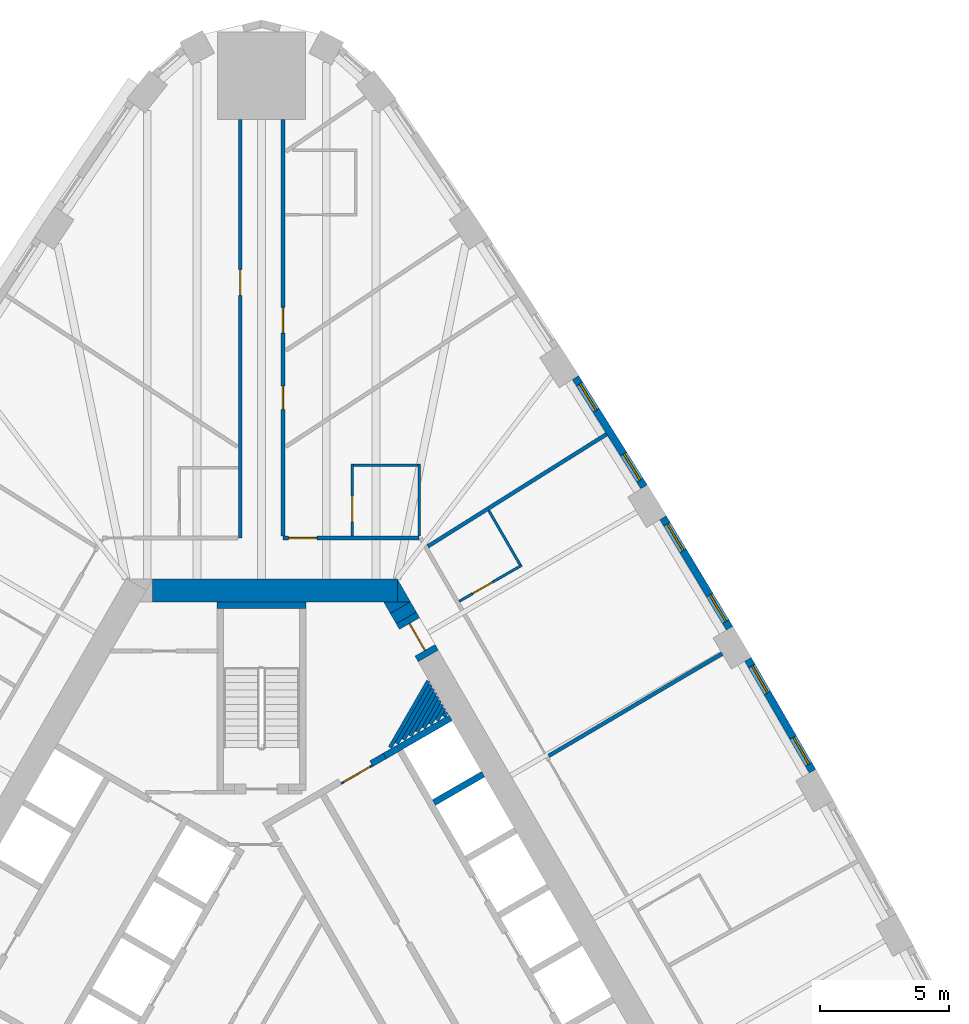
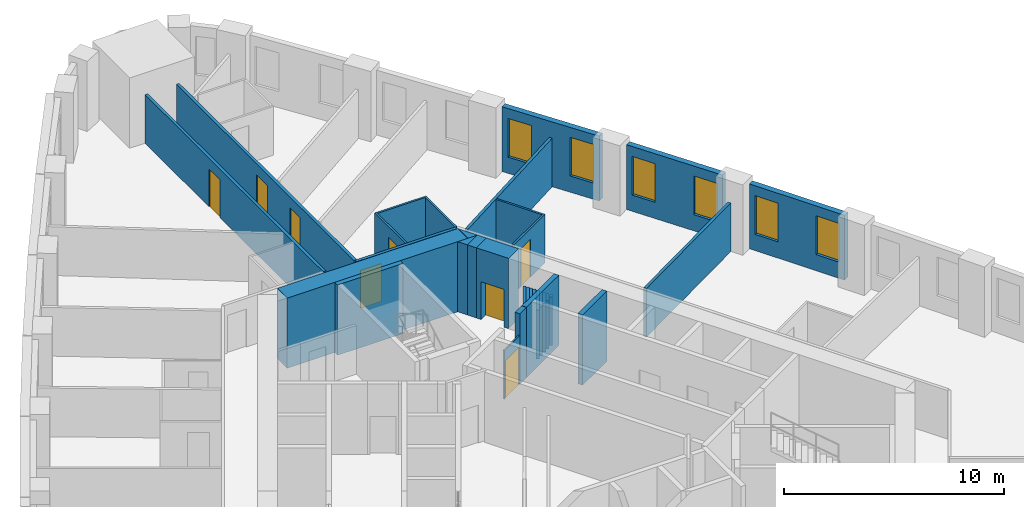
# One storey, part 10 of 12: 32 walls, 8 doors, 6 windows, 14 openings.
"""IFC4 building model written with IfcOpenShell, lengths in metres."""

from ifc_helpers import new_model, si_unit, direction, frame, frame_2d, origin, place, context, subcontext, project, spatial, polyline, rectangle, outline, extrude, material, layer, layer_set, type_object, element, fill, save


model = new_model("IFC4")

# Units and contexts
model_context = context("Model", 3, precision=1e-05, world=origin(), true_north=direction((0.0, 1.0)))
body_context = subcontext(model_context, "Body", "Model", "MODEL_VIEW")
ifc_project = project(units=[si_unit("LENGTHUNIT", "METRE"), si_unit("AREAUNIT", "SQUARE_METRE"), si_unit("VOLUMEUNIT", "CUBIC_METRE"), si_unit("PLANEANGLEUNIT", "RADIAN"), si_unit("MASSUNIT", "GRAM", prefix="KILO")], contexts=[model_context])

# Site, building, storey
site_placement = place(None, origin())
site = spatial("IfcSite", under=ifc_project, at=site_placement, CompositionType="ELEMENT")
building_placement = place(site_placement, origin())
building = spatial("IfcBuilding", under=site, at=building_placement, Name="Mestral Congress Tower", CompositionType="ELEMENT")
storey_placement = place(building_placement, frame((0.0, 0.0, 74.39990234375)))
storey = spatial("IfcBuildingStorey", under=building, at=storey_placement, Name="L17", CompositionType="ELEMENT", Elevation=74.39990234375)

# Walls
ifc_material_1 = material(Name="Fire-rated board partition")
ifc_layer_1 = layer(ifc_material_1, 0.14990234375)
ifc_layer_set_1 = layer_set([ifc_layer_1], Name="Fire-rated board partition")
wall_type_1 = type_object("IfcWallType", Name="Core partition 150", PredefinedType="PARTITIONING", material=ifc_layer_set_1)
wall_1_placement = place(storey_placement, frame((4.981689453125, 10.358642578125, 0.0), z_axis=(0.0, 0.0, 1.0), x_axis=(0.500051824031, 0.865995481099, 0.0)))
element("IfcWall", 1, at=wall_1_placement, inside=storey, type_object=wall_type_1, Name="L17 core wall", PredefinedType="PARTITIONING", context=body_context, shape_type="SweptSolid", body=[
    extrude(rectangle(XDim=2.972900390625, YDim=0.14990234375, at=frame_2d((1.486328125, 0.0))), origin(), (0.0, 0.0, 1.0), 2.7001953125),
])
wall_2_placement = place(storey_placement, frame((5.24169921875, 10.5087890625, 0.0), z_axis=(0.0, 0.0, 1.0), x_axis=(0.499958506883, 0.866049358521, 0.0)))
element("IfcWall", 2, at=wall_2_placement, inside=storey, type_object=wall_type_1, Name="L17 core wall", PredefinedType="PARTITIONING", context=body_context, shape_type="SweptSolid", body=[
    extrude(rectangle(XDim=2.626220703125, YDim=0.14990234375, at=frame_2d((1.31298828125, 0.0))), origin(), (0.0, 0.0, 1.0), 2.7001953125),
])
wall_3_placement = place(storey_placement, frame((5.50146484375, 10.65869140625, 0.0), z_axis=(0.0, 0.0, 1.0), x_axis=(0.499951092774, 0.866053638543, 0.0)))
element("IfcWall", 3, at=wall_3_placement, inside=storey, type_object=wall_type_1, Name="L17 core wall", PredefinedType="PARTITIONING", context=body_context, shape_type="SweptSolid", body=[
    extrude(rectangle(XDim=2.280029296875, YDim=0.14990234375, at=frame_2d((1.14013671875, 0.0))), origin(), (0.0, 0.0, 1.0), 2.7001953125),
])
wall_4_placement = place(storey_placement, frame((5.76123046875, 10.80859375, 0.0), z_axis=(0.0, 0.0, 1.0), x_axis=(0.499900985997, 0.866082561999, 0.0)))
element("IfcWall", 4, at=wall_4_placement, inside=storey, type_object=wall_type_1, Name="L17 core wall", PredefinedType="PARTITIONING", context=body_context, shape_type="SweptSolid", body=[
    extrude(rectangle(XDim=1.93359375, YDim=0.14990234375, at=frame_2d((0.966796875, 0.0))), origin(), (0.0, 0.0, 1.0), 2.7001953125),
])
wall_5_placement = place(storey_placement, frame((6.02099609375, 10.958740234375, 0.0), z_axis=(0.0, 0.0, 1.0), x_axis=(0.499944387978, 0.86605750902, 0.0)))
element("IfcWall", 5, at=wall_5_placement, inside=storey, type_object=wall_type_1, Name="L17 core wall", PredefinedType="PARTITIONING", context=body_context, shape_type="SweptSolid", body=[
    extrude(rectangle(XDim=1.587158203125, YDim=0.14990234375, at=frame_2d((0.79345703125, 0.0))), origin(), (0.0, 0.0, 1.0), 2.7001953125),
])
wall_6_placement = place(storey_placement, frame((6.28076171875, 11.108642578125, 0.0), z_axis=(0.0, 0.0, 1.0), x_axis=(0.500012022864, 0.866018462269, 0.0)))
element("IfcWall", 6, at=wall_6_placement, inside=storey, type_object=wall_type_1, Name="L17 core wall", PredefinedType="PARTITIONING", context=body_context, shape_type="SweptSolid", body=[
    extrude(rectangle(XDim=1.24072265625, YDim=0.14990234375, at=frame_2d((0.620361328125, 0.0))), origin(), (0.0, 0.0, 1.0), 2.7001953125),
])
wall_7_placement = place(storey_placement, frame((6.54052734375, 11.2587890625, 0.0), z_axis=(0.0, 0.0, 1.0), x_axis=(0.500132045864, 0.865949153646, 0.0)))
element("IfcWall", 7, at=wall_7_placement, inside=storey, type_object=wall_type_1, Name="L17 core wall", PredefinedType="PARTITIONING", context=body_context, shape_type="SweptSolid", body=[
    extrude(rectangle(XDim=0.894287109375, YDim=0.14990234375, at=frame_2d((0.447265625, 0.0))), origin(), (0.0, 0.0, 1.0), 2.7001953125),
])
wall_8_placement = place(storey_placement, frame((6.80029296875, 11.40869140625, 0.0), z_axis=(0.0, 0.0, 1.0), x_axis=(0.500210807569, 0.865903659763, 0.0)))
element("IfcWall", 8, at=wall_8_placement, inside=storey, type_object=wall_type_1, Name="L17 core wall", PredefinedType="PARTITIONING", context=body_context, shape_type="SweptSolid", body=[
    extrude(rectangle(XDim=0.548095703125, YDim=0.14990234375, at=frame_2d((0.27392578125, 0.0))), origin(), (0.0, 0.0, 1.0), 2.7001953125),
])
wall_9_placement = place(storey_placement, frame((7.060302734375, 11.55859375, 0.0), z_axis=(0.0, 0.0, 1.0), x_axis=(0.499267785915, 0.866447735266, 0.0)))
element("IfcWall", 9, at=wall_9_placement, inside=storey, type_object=wall_type_1, Name="L17 core wall", PredefinedType="PARTITIONING", context=body_context, shape_type="SweptSolid", body=[
    extrude(rectangle(XDim=0.201416015625, YDim=0.14990234375, at=frame_2d((0.1005859375, 0.0))), origin(), (0.0, 0.0, 1.0), 2.7001953125),
])

# Wall, opening, door
ifc_layer_2 = layer(ifc_material_1, 0.090087890625)
ifc_layer_set_2 = layer_set([ifc_layer_2], Name="Fire-rated board partition")
wall_type_2 = type_object("IfcWallType", Name="Core partition 150 door-wall 90", PredefinedType="PARTITIONING", material=ifc_layer_set_2)
wall_10_placement = place(storey_placement, frame((3.080810546875, 8.9609375, 0.0), z_axis=(0.0, 0.0, 1.0), x_axis=(0.866034573852, 0.49998411664, 0.0)))
wall_10 = element("IfcWall", 10, at=wall_10_placement, inside=storey, type_object=wall_type_2, Name="L17 door wall", PredefinedType="PARTITIONING", context=body_context, shape_type="SweptSolid", body=[
    extrude(rectangle(XDim=1.39990234375, YDim=0.090087890625, at=frame_2d((0.699951171875, 0.0))), origin(), (0.0, 0.0, 1.0), 2.7001953125),
])
opening_1_placement = place(wall_10_placement, frame((0.10009765625, 0.0, 0.0)))
opening_1 = element("IfcOpeningElement", 11, at=opening_1_placement, cuts=wall_10, Name="Opening LB1-WL2", PredefinedType="OPENING", context=body_context, shape_type="SweptSolid", body=[
    extrude(rectangle(XDim=1.199951171875, YDim=2.10009765625, at=frame_2d((0.60009765625, 1.050048828125))), frame((0.0, 0.054931640625, 0.0), z_axis=(0.0, -1.0, 0.0), x_axis=(1.0, 0.0, 0.0)), (0.0, 0.0, 1.0), 0.110107421875),
])
ifc_material_2 = material(Name="Fire-rated steel door set", Category="steel")
door_type_1 = type_object("IfcDoorType", Name="Core door LB 1200x2100", OperationType="SINGLE_SWING_LEFT", PredefinedType="DOOR", material=ifc_material_2)
door_1_placement = place(opening_1_placement, origin())
door_1 = element("IfcDoor", 12, at=door_1_placement, inside=storey, type_object=door_type_1, Name="Door LB1-WL2", OperationType="SINGLE_SWING_LEFT", OverallHeight=2.10009765625, OverallWidth=1.199951171875, PredefinedType="DOOR", context=body_context, shape_type="SweptSolid", body=[
    extrude(rectangle(XDim=1.199951171875, YDim=2.10009765625, at=frame_2d((0.60009765625, 1.050048828125))), frame((0.0, 0.02490234375, 0.0), z_axis=(0.0, -1.0, 0.0), x_axis=(1.0, 0.0, 0.0)), (0.0, 0.0, 1.0), 0.050048828125),
])
fill(opening_1, door_1)

# Walls
ifc_material_3 = material(Name="Concrete C60/75", Category="concrete")
ifc_layer_3 = layer(ifc_material_3, 0.89990234375)
ifc_layer_set_3 = layer_set([ifc_layer_3], Name="Concrete C60/75")
wall_type_3 = type_object("IfcWallType", Name="Core wall RC 900", PredefinedType="SOLIDWALL", material=ifc_layer_set_3)
wall_11_placement = place(storey_placement, frame((-4.224365234375, 16.449951171875, 0.0), z_axis=(0.0, 0.0, 1.0), x_axis=(1.0, 0.0, 0.0)))
element("IfcWall", 13, at=wall_11_placement, inside=storey, type_object=wall_type_3, Name="L17 core wall", PredefinedType="SOLIDWALL", context=body_context, shape_type="SweptSolid", body=[
    extrude(rectangle(XDim=9.48779296875, YDim=0.89990234375, at=frame_2d((4.743896484375, 0.0))), origin(), (0.0, 0.0, 1.0), 3.900146484375),
])
placement = place(storey_placement, origin())
element("IfcWall", 14, at=placement, inside=storey, type_object=wall_type_3, Name="L17 core wall", PredefinedType="SOLIDWALL", context=body_context, shape_type="SweptSolid", body=[
    extrude(outline(polyline([(5.265380859375, 16.0), (5.265380859375, 16.8798828125), (5.7734375, 16.0), (5.265380859375, 16.0)])), origin(), (0.0, 0.0, 1.0), 3.900146484375),
])
wall_13_placement = place(storey_placement, frame((5.61083984375, 15.381591796875, 0.0), z_axis=(0.0, 0.0, 1.0), x_axis=(-0.500102178127, 0.865966403178, 0.0)))
element("IfcWall", 15, at=wall_13_placement, inside=storey, type_object=wall_type_3, Name="L17 core wall", PredefinedType="SOLIDWALL", context=body_context, shape_type="SweptSolid", body=[
    extrude(rectangle(XDim=0.4638671875, YDim=0.89990234375, at=frame_2d((0.23193359375, 0.0))), origin(), (0.0, 0.0, 1.0), 3.900146484375),
])
element("IfcWall", 16, at=placement, inside=storey, type_object=wall_type_3, Name="L17 core wall", PredefinedType="SOLIDWALL", context=body_context, shape_type="SweptSolid", body=[
    extrude(outline(polyline([(4.734375, 16.0), (5.75048828125, 16.0), (4.98828125, 15.56005859375), (4.734375, 16.0)])), origin(), (0.0, 0.0, 1.0), 3.900146484375),
])

# Wall, opening, door
wall_15_placement = place(storey_placement, frame((5.61083984375, 15.381591796875, 0.0), z_axis=(0.0, 0.0, 1.0), x_axis=(0.500062241894, -0.865989465428, 0.0)))
wall_15 = element("IfcWall", 17, at=wall_15_placement, inside=storey, type_object=wall_type_3, Name="L17 door wall", PredefinedType="SOLIDWALL", context=body_context, shape_type="SweptSolid", body=[
    extrude(rectangle(XDim=1.699951171875, YDim=0.89990234375, at=frame_2d((0.85009765625, 0.0))), origin(), (0.0, 0.0, 1.0), 3.900146484375),
])
opening_2_placement = place(wall_15_placement, frame((0.25, 0.0, 0.0)))
opening_2 = element("IfcOpeningElement", 18, at=opening_2_placement, cuts=wall_15, Name="Opening XD2", PredefinedType="OPENING", context=body_context, shape_type="SweptSolid", body=[
    extrude(rectangle(XDim=1.199951171875, YDim=2.10009765625, at=frame_2d((0.60009765625, 1.050048828125))), frame((0.0, 0.4599609375, 0.0), z_axis=(0.0, -1.0, 0.0), x_axis=(1.0, 0.0, 0.0)), (0.0, 0.0, 1.0), 0.919921875),
])
door_type_2 = type_object("IfcDoorType", Name="Core door XD 1200x2100", OperationType="SINGLE_SWING_LEFT", PredefinedType="DOOR", material=ifc_material_2)
door_2_placement = place(opening_2_placement, origin())
door_2 = element("IfcDoor", 19, at=door_2_placement, inside=storey, type_object=door_type_2, Name="Door XD2", OperationType="SINGLE_SWING_LEFT", OverallHeight=2.10009765625, OverallWidth=1.199951171875, PredefinedType="DOOR", context=body_context, shape_type="SweptSolid", body=[
    extrude(rectangle(XDim=1.199951171875, YDim=2.10009765625, at=frame_2d((0.60009765625, 1.050048828125))), frame((0.0, 0.02490234375, 0.0), z_axis=(0.0, -1.0, 0.0), x_axis=(1.0, 0.0, 0.0)), (0.0, 0.0, 1.0), 0.050048828125),
])
fill(opening_2, door_2)

# Wall, openings, windows
ifc_material_4 = material(Name="Precast concrete C40/50 with limestone facing", Category="masonry")
ifc_layer_4 = layer(ifc_material_4, 0.2900390625)
ifc_layer_set_4 = layer_set([ifc_layer_4], Name="Precast concrete C40/50 with limestone facing")
wall_type_4 = type_object("IfcWallType", Name="Facade stone wall 290", PredefinedType="SOLIDWALL", material=ifc_layer_set_4)
wall_16_placement = place(storey_placement, frame((21.357177734375, 9.44482421875, 0.0), z_axis=(0.0, 0.0, 1.0), x_axis=(-0.50002123722, 0.866013142123, 0.0)))
wall_16 = element("IfcWall", 20, at=wall_16_placement, inside=storey, type_object=wall_type_4, Name="Facade wall F1-04", PredefinedType="SOLIDWALL", context=body_context, shape_type="SweptSolid", body=[
    extrude(rectangle(XDim=4.998291015625, YDim=0.2900390625, at=frame_2d((2.4990234375, 0.0))), origin(), (0.0, 0.0, 1.0), 3.60009765625),
])
opening_3_placement = place(wall_16_placement, frame((0.297119140625, 0.0, 0.89990234375)))
opening_3 = element("IfcOpeningElement", 21, at=opening_3_placement, cuts=wall_16, Name="Opening W1", PredefinedType="OPENING", context=body_context, shape_type="SweptSolid", body=[
    extrude(rectangle(XDim=1.199951171875, YDim=2.14990234375, at=frame_2d((0.60009765625, 1.074951171875))), frame((0.0, 0.155029296875, 0.0), z_axis=(0.0, -1.0, 0.0), x_axis=(1.0, 0.0, 0.0)), (0.0, 0.0, 1.0), 0.31005859375),
])
opening_4_placement = place(wall_16_placement, frame((3.501220703125, 0.0, 0.89990234375)))
opening_4 = element("IfcOpeningElement", 22, at=opening_4_placement, cuts=wall_16, Name="Opening W1", PredefinedType="OPENING", context=body_context, shape_type="SweptSolid", body=[
    extrude(rectangle(XDim=1.199951171875, YDim=2.14990234375, at=frame_2d((0.60009765625, 1.074951171875))), frame((0.0, 0.155029296875, 0.0), z_axis=(0.0, -1.0, 0.0), x_axis=(1.0, 0.0, 0.0)), (0.0, 0.0, 1.0), 0.31005859375),
])
ifc_material_5 = material(Name="Clear low-emissivity double glazing", Category="glass")
window_type = type_object("IfcWindowType", Name="Facade punched window 1200 x 2150 sill 900", PartitioningType="DOUBLE_PANEL_VERTICAL", PredefinedType="WINDOW", material=ifc_material_5)
window_1_placement = place(opening_3_placement, origin())
window_1 = element("IfcWindow", 23, at=window_1_placement, inside=storey, type_object=window_type, Name="Window F1-04a", OverallHeight=2.14990234375, OverallWidth=1.199951171875, PartitioningType="DOUBLE_PANEL_VERTICAL", PredefinedType="WINDOW", context=body_context, shape_type="SweptSolid", body=[
    extrude(rectangle(XDim=1.199951171875, YDim=2.14990234375, at=frame_2d((0.60009765625, 1.074951171875))), frame((0.0, 0.01513671875, 0.0), z_axis=(0.0, -1.0, 0.0), x_axis=(1.0, 0.0, 0.0)), (0.0, 0.0, 1.0), 0.06005859375),
])
fill(opening_3, window_1)
window_2_placement = place(opening_4_placement, origin())
window_2 = element("IfcWindow", 24, at=window_2_placement, inside=storey, type_object=window_type, Name="Window F1-04b", OverallHeight=2.14990234375, OverallWidth=1.199951171875, PartitioningType="DOUBLE_PANEL_VERTICAL", PredefinedType="WINDOW", context=body_context, shape_type="SweptSolid", body=[
    extrude(rectangle(XDim=1.199951171875, YDim=2.14990234375, at=frame_2d((0.60009765625, 1.074951171875))), frame((0.0, 0.01513671875, 0.0), z_axis=(0.0, -1.0, 0.0), x_axis=(1.0, 0.0, 0.0)), (0.0, 0.0, 1.0), 0.06005859375),
])
fill(opening_4, window_2)

wall_17_placement = place(storey_placement, frame((18.143310546875, 14.985595703125, 0.0), z_axis=(0.0, 0.0, 1.0), x_axis=(-0.515938796285, 0.856625448191, 0.0)))
wall_17 = element("IfcWall", 25, at=wall_17_placement, inside=storey, type_object=wall_type_4, Name="Facade wall F1-05", PredefinedType="SOLIDWALL", context=body_context, shape_type="SweptSolid", body=[
    extrude(rectangle(XDim=4.998291015625, YDim=0.2900390625, at=frame_2d((2.4990234375, 0.0))), origin(), (0.0, 0.0, 1.0), 3.60009765625),
])
opening_5_placement = place(wall_17_placement, frame((0.297119140625, 0.0, 0.89990234375)))
opening_5 = element("IfcOpeningElement", 26, at=opening_5_placement, cuts=wall_17, Name="Opening W1", PredefinedType="OPENING", context=body_context, shape_type="SweptSolid", body=[
    extrude(rectangle(XDim=1.199951171875, YDim=2.14990234375, at=frame_2d((0.60009765625, 1.074951171875))), frame((0.0, 0.155029296875, 0.0), z_axis=(0.0, -1.0, 0.0), x_axis=(1.0, 0.0, 0.0)), (0.0, 0.0, 1.0), 0.31005859375),
])
opening_6_placement = place(wall_17_placement, frame((3.501220703125, 0.0, 0.89990234375)))
opening_6 = element("IfcOpeningElement", 27, at=opening_6_placement, cuts=wall_17, Name="Opening W1", PredefinedType="OPENING", context=body_context, shape_type="SweptSolid", body=[
    extrude(rectangle(XDim=1.199951171875, YDim=2.14990234375, at=frame_2d((0.60009765625, 1.074951171875))), frame((0.0, 0.155029296875, 0.0), z_axis=(0.0, -1.0, 0.0), x_axis=(1.0, 0.0, 0.0)), (0.0, 0.0, 1.0), 0.31005859375),
])
window_3_placement = place(opening_5_placement, origin())
window_3 = element("IfcWindow", 28, at=window_3_placement, inside=storey, type_object=window_type, Name="Window F1-05a", OverallHeight=2.14990234375, OverallWidth=1.199951171875, PartitioningType="DOUBLE_PANEL_VERTICAL", PredefinedType="WINDOW", context=body_context, shape_type="SweptSolid", body=[
    extrude(rectangle(XDim=1.199951171875, YDim=2.14990234375, at=frame_2d((0.60009765625, 1.074951171875))), frame((0.0, 0.01513671875, 0.0), z_axis=(0.0, -1.0, 0.0), x_axis=(1.0, 0.0, 0.0)), (0.0, 0.0, 1.0), 0.06005859375),
])
fill(opening_5, window_3)
window_4_placement = place(opening_6_placement, origin())
window_4 = element("IfcWindow", 29, at=window_4_placement, inside=storey, type_object=window_type, Name="Window F1-05b", OverallHeight=2.14990234375, OverallWidth=1.199951171875, PartitioningType="DOUBLE_PANEL_VERTICAL", PredefinedType="WINDOW", context=body_context, shape_type="SweptSolid", body=[
    extrude(rectangle(XDim=1.199951171875, YDim=2.14990234375, at=frame_2d((0.60009765625, 1.074951171875))), frame((0.0, 0.01513671875, 0.0), z_axis=(0.0, -1.0, 0.0), x_axis=(1.0, 0.0, 0.0)), (0.0, 0.0, 1.0), 0.06005859375),
])
fill(opening_6, window_4)

wall_18_placement = place(storey_placement, frame((14.827392578125, 20.466064453125, 0.0), z_axis=(0.0, 0.0, 1.0), x_axis=(-0.531688286542, 0.846940119462, 0.0)))
wall_18 = element("IfcWall", 30, at=wall_18_placement, inside=storey, type_object=wall_type_4, Name="Facade wall F1-06", PredefinedType="SOLIDWALL", context=body_context, shape_type="SweptSolid", body=[
    extrude(rectangle(XDim=4.998291015625, YDim=0.2900390625, at=frame_2d((2.4990234375, 0.0))), origin(), (0.0, 0.0, 1.0), 3.60009765625),
])
opening_7_placement = place(wall_18_placement, frame((0.297119140625, 0.0, 0.89990234375)))
opening_7 = element("IfcOpeningElement", 31, at=opening_7_placement, cuts=wall_18, Name="Opening W1", PredefinedType="OPENING", context=body_context, shape_type="SweptSolid", body=[
    extrude(rectangle(XDim=1.199951171875, YDim=2.14990234375, at=frame_2d((0.60009765625, 1.074951171875))), frame((0.0, 0.155029296875, 0.0), z_axis=(0.0, -1.0, 0.0), x_axis=(1.0, 0.0, 0.0)), (0.0, 0.0, 1.0), 0.31005859375),
])
opening_8_placement = place(wall_18_placement, frame((3.501220703125, 0.0, 0.89990234375)))
opening_8 = element("IfcOpeningElement", 32, at=opening_8_placement, cuts=wall_18, Name="Opening W1", PredefinedType="OPENING", context=body_context, shape_type="SweptSolid", body=[
    extrude(rectangle(XDim=1.199951171875, YDim=2.14990234375, at=frame_2d((0.60009765625, 1.074951171875))), frame((0.0, 0.155029296875, 0.0), z_axis=(0.0, -1.0, 0.0), x_axis=(1.0, 0.0, 0.0)), (0.0, 0.0, 1.0), 0.31005859375),
])
window_5_placement = place(opening_7_placement, origin())
window_5 = element("IfcWindow", 33, at=window_5_placement, inside=storey, type_object=window_type, Name="Window F1-06a", OverallHeight=2.14990234375, OverallWidth=1.199951171875, PartitioningType="DOUBLE_PANEL_VERTICAL", PredefinedType="WINDOW", context=body_context, shape_type="SweptSolid", body=[
    extrude(rectangle(XDim=1.199951171875, YDim=2.14990234375, at=frame_2d((0.60009765625, 1.074951171875))), frame((0.0, 0.01513671875, 0.0), z_axis=(0.0, -1.0, 0.0), x_axis=(1.0, 0.0, 0.0)), (0.0, 0.0, 1.0), 0.06005859375),
])
fill(opening_7, window_5)
window_6_placement = place(opening_8_placement, origin())
window_6 = element("IfcWindow", 34, at=window_6_placement, inside=storey, type_object=window_type, Name="Window F1-06b", OverallHeight=2.14990234375, OverallWidth=1.199951171875, PartitioningType="DOUBLE_PANEL_VERTICAL", PredefinedType="WINDOW", context=body_context, shape_type="SweptSolid", body=[
    extrude(rectangle(XDim=1.199951171875, YDim=2.14990234375, at=frame_2d((0.60009765625, 1.074951171875))), frame((0.0, 0.01513671875, 0.0), z_axis=(0.0, -1.0, 0.0), x_axis=(1.0, 0.0, 0.0)), (0.0, 0.0, 1.0), 0.06005859375),
])
fill(opening_8, window_6)

# Wall, opening, door
ifc_material_6 = material(Name="Gypsum board partition on metal studs with mineral wool", Category="composite")
ifc_layer_5 = layer(ifc_material_6, 0.10009765625)
ifc_layer_set_5 = layer_set([ifc_layer_5], Name="Gypsum board partition on metal studs with mineral wool")
wall_type_5 = type_object("IfcWallType", Name="Hotel partition wall 100", PredefinedType="PARTITIONING", material=ifc_layer_set_5)
wall_19_placement = place(storey_placement, frame((7.663818359375, 16.026123046875, 0.0), z_axis=(0.0, 0.0, 1.0), x_axis=(0.866034573852, 0.49998411664, 0.0)))
wall_19 = element("IfcWall", 35, at=wall_19_placement, inside=storey, type_object=wall_type_5, Name="L17-h-pod11a", PredefinedType="PARTITIONING", context=body_context, shape_type="SweptSolid", body=[
    extrude(rectangle(XDim=2.7998046875, YDim=0.10009765625, at=frame_2d((1.39990234375, 0.0))), origin(), (0.0, 0.0, 1.0), 2.7001953125),
])
opening_9_placement = place(wall_19_placement, frame((0.60009765625, 0.0, 0.0)))
opening_9 = element("IfcOpeningElement", 36, at=opening_9_placement, cuts=wall_19, Name="Opening H05-021", PredefinedType="OPENING", context=body_context, shape_type="SweptSolid", body=[
    extrude(rectangle(XDim=0.89990234375, YDim=2.10009765625, at=frame_2d((0.449951171875, 1.050048828125))), frame((0.0, 0.06005859375, 0.0), z_axis=(0.0, -1.0, 0.0), x_axis=(1.0, 0.0, 0.0)), (0.0, 0.0, 1.0), 0.1201171875),
])
ifc_material_7 = material(Name="Timber veneer door leaf in timber frame", Category="wood")
door_type_3 = type_object("IfcDoorType", Name="Bathroom door 900", OperationType="SINGLE_SWING_LEFT", PredefinedType="DOOR", material=ifc_material_7)
door_3_placement = place(opening_9_placement, origin())
door_3 = element("IfcDoor", 37, at=door_3_placement, inside=storey, type_object=door_type_3, Name="L17-h-d021", OperationType="SINGLE_SWING_LEFT", OverallHeight=2.10009765625, OverallWidth=0.89990234375, PredefinedType="DOOR", context=body_context, shape_type="SweptSolid", body=[
    extrude(rectangle(XDim=0.89990234375, YDim=2.10009765625, at=frame_2d((0.449951171875, 1.050048828125))), frame((0.0, 0.02490234375, 0.0), z_axis=(0.0, -1.0, 0.0), x_axis=(1.0, 0.0, 0.0)), (0.0, 0.0, 1.0), 0.050048828125),
])
fill(opening_9, door_3)

# Wall
wall_20_placement = place(storey_placement, frame((10.020263671875, 17.4443359375, 0.0), z_axis=(0.0, 0.0, 1.0), x_axis=(-0.499958230738, 0.866049517936, 0.0)))
element("IfcWall", 38, at=wall_20_placement, inside=storey, type_object=wall_type_5, Name="L17-h-pod11b", PredefinedType="PARTITIONING", context=body_context, shape_type="SweptSolid", body=[
    extrude(rectangle(XDim=2.420166015625, YDim=0.10009765625, at=frame_2d((1.2099609375, 0.0))), origin(), (0.0, 0.0, 1.0), 2.7001953125),
])

# Wall, opening, door
wall_21_placement = place(storey_placement, frame((3.51318359375, 21.35009765625, 0.0), z_axis=(0.0, 0.0, 1.0), x_axis=(0.0, -1.0, 0.0)))
wall_21 = element("IfcWall", 39, at=wall_21_placement, inside=storey, type_object=wall_type_5, Name="L17-h-pod12a", PredefinedType="PARTITIONING", context=body_context, shape_type="SweptSolid", body=[
    extrude(rectangle(XDim=2.800048828125, YDim=0.10009765625, at=frame_2d((1.39990234375, 0.0))), origin(), (0.0, 0.0, 1.0), 2.7001953125),
])
opening_10_placement = place(wall_21_placement, frame((1.25, 0.0, 0.0)))
opening_10 = element("IfcOpeningElement", 40, at=opening_10_placement, cuts=wall_21, Name="Opening H05-023", PredefinedType="OPENING", context=body_context, shape_type="SweptSolid", body=[
    extrude(rectangle(XDim=1.0, YDim=2.10009765625, at=frame_2d((0.5, 1.050048828125))), frame((0.0, 0.06005859375, 0.0), z_axis=(0.0, -1.0, 0.0), x_axis=(1.0, 0.0, 0.0)), (0.0, 0.0, 1.0), 0.1201171875),
])
door_type_4 = type_object("IfcDoorType", Name="Accessible bathroom door 1000", OperationType="SINGLE_SWING_LEFT", PredefinedType="DOOR", material=ifc_material_7)
door_4_placement = place(opening_10_placement, origin())
door_4 = element("IfcDoor", 41, at=door_4_placement, inside=storey, type_object=door_type_4, Name="L17-h-d023", OperationType="SINGLE_SWING_RIGHT", OverallHeight=2.10009765625, OverallWidth=1.0, PredefinedType="DOOR", context=body_context, shape_type="SweptSolid", body=[
    extrude(rectangle(XDim=1.0, YDim=2.10009765625, at=frame_2d((0.5, 1.050048828125))), frame((0.0, 0.02490234375, 0.0), z_axis=(0.0, -1.0, 0.0), x_axis=(1.0, 0.0, 0.0)), (0.0, 0.0, 1.0), 0.050048828125),
])
fill(opening_10, door_4)

# Walls
wall_22_placement = place(storey_placement, frame((3.563232421875, 21.300048828125, 0.0), z_axis=(0.0, 0.0, 1.0), x_axis=(1.0, 0.0, 0.0)))
element("IfcWall", 42, at=wall_22_placement, inside=storey, type_object=wall_type_5, Name="L17-h-pod12b", PredefinedType="PARTITIONING", context=body_context, shape_type="SweptSolid", body=[
    extrude(rectangle(XDim=2.5, YDim=0.10009765625, at=frame_2d((1.25, 0.0))), origin(), (0.0, 0.0, 1.0), 2.7001953125),
])
wall_23_placement = place(storey_placement, frame((6.11328125, 18.550048828125, 0.0), z_axis=(0.0, 0.0, 1.0), x_axis=(0.0, 1.0, 0.0)))
element("IfcWall", 43, at=wall_23_placement, inside=storey, type_object=wall_type_5, Name="L17-h-pod12c", PredefinedType="PARTITIONING", context=body_context, shape_type="SweptSolid", body=[
    extrude(rectangle(XDim=2.800048828125, YDim=0.10009765625, at=frame_2d((1.39990234375, 0.0))), origin(), (0.0, 0.0, 1.0), 2.7001953125),
])

# Wall, opening, door
ifc_layer_6 = layer(ifc_material_6, 0.14990234375)
ifc_layer_set_6 = layer_set([ifc_layer_6], Name="Gypsum board partition on metal studs with mineral wool")
wall_type_6 = type_object("IfcWallType", Name="Hotel partition wall 150", PredefinedType="PARTITIONING", material=ifc_layer_set_6)
wall_24_placement = place(storey_placement, frame((0.824951171875, 18.47509765625, 0.0), z_axis=(0.0, 0.0, 1.0), x_axis=(1.0, 0.0, 0.0)))
wall_24 = element("IfcWall", 44, at=wall_24_placement, inside=storey, type_object=wall_type_6, Name="L17-h-cw04", PredefinedType="PARTITIONING", context=body_context, shape_type="SweptSolid", body=[
    extrude(rectangle(XDim=5.268310546875, YDim=0.14990234375, at=frame_2d((2.63427734375, 0.0))), origin(), (0.0, 0.0, 1.0), 2.7001953125),
])
opening_11_placement = place(wall_24_placement, frame((0.22607421875, 0.0, 0.0)))
opening_11 = element("IfcOpeningElement", 45, at=opening_11_placement, cuts=wall_24, Name="Opening H05-022", PredefinedType="OPENING", context=body_context, shape_type="SweptSolid", body=[
    extrude(rectangle(XDim=1.10009765625, YDim=2.10009765625, at=frame_2d((0.550048828125, 1.050048828125))), frame((0.0, 0.0849609375, 0.0), z_axis=(0.0, -1.0, 0.0), x_axis=(1.0, 0.0, 0.0)), (0.0, 0.0, 1.0), 0.169921875),
])
ifc_material_8 = material(Name="Timber veneer door leaf in metal frame", Category="wood")
door_type_5 = type_object("IfcDoorType", Name="Accessible room entrance door 1100", OperationType="SINGLE_SWING_LEFT", PredefinedType="DOOR", material=ifc_material_8)
door_5_placement = place(opening_11_placement, origin())
door_5 = element("IfcDoor", 46, at=door_5_placement, inside=storey, type_object=door_type_5, Name="L17-h-d022", OperationType="SINGLE_SWING_LEFT", OverallHeight=2.10009765625, OverallWidth=1.10009765625, PredefinedType="DOOR", context=body_context, shape_type="SweptSolid", body=[
    extrude(rectangle(XDim=1.10009765625, YDim=2.10009765625, at=frame_2d((0.550048828125, 1.050048828125))), frame((0.0, 0.02490234375, 0.0), z_axis=(0.0, -1.0, 0.0), x_axis=(1.0, 0.0, 0.0)), (0.0, 0.0, 1.0), 0.050048828125),
])
fill(opening_11, door_5)

# Wall, openings, doors
wall_25_placement = place(storey_placement, frame((0.824951171875, 34.698974609375, 0.0), z_axis=(0.0, 0.0, 1.0), x_axis=(0.0, -1.0, 0.0)))
wall_25 = element("IfcWall", 47, at=wall_25_placement, inside=storey, type_object=wall_type_6, Name="L17-h-cw05", PredefinedType="PARTITIONING", context=body_context, shape_type="SweptSolid", body=[
    extrude(rectangle(XDim=16.14404296875, YDim=0.14990234375, at=frame_2d((8.072021484375, 0.0))), origin(), (0.0, 0.0, 1.0), 2.7001953125),
])
opening_12_placement = place(wall_25_placement, frame((10.3291015625, 0.0, 0.0)))
opening_12 = element("IfcOpeningElement", 48, at=opening_12_placement, cuts=wall_25, Name="Opening H05-024", PredefinedType="OPENING", context=body_context, shape_type="SweptSolid", body=[
    extrude(rectangle(XDim=0.89990234375, YDim=2.10009765625, at=frame_2d((0.449951171875, 1.050048828125))), frame((0.0, 0.0849609375, 0.0), z_axis=(0.0, -1.0, 0.0), x_axis=(1.0, 0.0, 0.0)), (0.0, 0.0, 1.0), 0.169921875),
])
opening_13_placement = place(wall_25_placement, frame((7.274658203125, 0.0, 0.0)))
opening_13 = element("IfcOpeningElement", 49, at=opening_13_placement, cuts=wall_25, Name="Opening H05-025", PredefinedType="OPENING", context=body_context, shape_type="SweptSolid", body=[
    extrude(rectangle(XDim=1.0, YDim=2.10009765625, at=frame_2d((0.5, 1.050048828125))), frame((0.0, 0.0849609375, 0.0), z_axis=(0.0, -1.0, 0.0), x_axis=(1.0, 0.0, 0.0)), (0.0, 0.0, 1.0), 0.169921875),
])
door_type_6 = type_object("IfcDoorType", Name="Guest room entrance door 1000", OperationType="SINGLE_SWING_LEFT", PredefinedType="DOOR", material=ifc_material_8)
door_6_placement = place(opening_13_placement, origin())
door_6 = element("IfcDoor", 50, at=door_6_placement, inside=storey, type_object=door_type_6, Name="L17-h-d025", OperationType="SINGLE_SWING_RIGHT", OverallHeight=2.10009765625, OverallWidth=1.0, PredefinedType="DOOR", context=body_context, shape_type="SweptSolid", body=[
    extrude(rectangle(XDim=1.0, YDim=2.10009765625, at=frame_2d((0.5, 1.050048828125))), frame((0.0, 0.02490234375, 0.0), z_axis=(0.0, -1.0, 0.0), x_axis=(1.0, 0.0, 0.0)), (0.0, 0.0, 1.0), 0.050048828125),
])
fill(opening_13, door_6)
door_type_7 = type_object("IfcDoorType", Name="Service room door 900", OperationType="SINGLE_SWING_LEFT", PredefinedType="DOOR", material=ifc_material_8)
door_7_placement = place(opening_12_placement, origin())
door_7 = element("IfcDoor", 51, at=door_7_placement, inside=storey, type_object=door_type_7, Name="L17-h-d024", OperationType="SINGLE_SWING_LEFT", OverallHeight=2.10009765625, OverallWidth=0.89990234375, PredefinedType="DOOR", context=body_context, shape_type="SweptSolid", body=[
    extrude(rectangle(XDim=0.89990234375, YDim=2.10009765625, at=frame_2d((0.449951171875, 1.050048828125))), frame((0.0, 0.02490234375, 0.0), z_axis=(0.0, -1.0, 0.0), x_axis=(1.0, 0.0, 0.0)), (0.0, 0.0, 1.0), 0.050048828125),
])
fill(opening_12, door_7)

# Wall, opening, door
wall_26_placement = place(storey_placement, frame((-0.824951171875, 18.47509765625, 0.0), z_axis=(0.0, 0.0, 1.0), x_axis=(0.0, 1.0, 0.0)))
wall_26 = element("IfcWall", 52, at=wall_26_placement, inside=storey, type_object=wall_type_6, Name="L17-h-cw06", PredefinedType="PARTITIONING", context=body_context, shape_type="SweptSolid", body=[
    extrude(rectangle(XDim=16.223876953125, YDim=0.14990234375, at=frame_2d((8.11181640625, 0.0))), origin(), (0.0, 0.0, 1.0), 2.7001953125),
])
opening_14_placement = place(wall_26_placement, frame((9.408203125, 0.0, 0.0)))
opening_14 = element("IfcOpeningElement", 53, at=opening_14_placement, cuts=wall_26, Name="Opening H05-027", PredefinedType="OPENING", context=body_context, shape_type="SweptSolid", body=[
    extrude(rectangle(XDim=1.0, YDim=2.10009765625, at=frame_2d((0.5, 1.050048828125))), frame((0.0, 0.0849609375, 0.0), z_axis=(0.0, -1.0, 0.0), x_axis=(1.0, 0.0, 0.0)), (0.0, 0.0, 1.0), 0.169921875),
])
door_8_placement = place(opening_14_placement, origin())
door_8 = element("IfcDoor", 54, at=door_8_placement, inside=storey, type_object=door_type_6, Name="L17-h-d027", OperationType="SINGLE_SWING_LEFT", OverallHeight=2.10009765625, OverallWidth=1.0, PredefinedType="DOOR", context=body_context, shape_type="SweptSolid", body=[
    extrude(rectangle(XDim=1.0, YDim=2.10009765625, at=frame_2d((0.5, 1.050048828125))), frame((0.0, 0.02490234375, 0.0), z_axis=(0.0, -1.0, 0.0), x_axis=(1.0, 0.0, 0.0)), (0.0, 0.0, 1.0), 0.050048828125),
])
fill(opening_14, door_8)

# Walls
wall_27_placement = place(storey_placement, frame((13.375732421875, 22.505615234375, 0.0), z_axis=(0.0, 0.0, 1.0), x_axis=(-0.846945608893, -0.531679542183, 0.0)))
element("IfcWall", 55, at=wall_27_placement, inside=storey, type_object=wall_type_6, Name="L17-h-pw16", PredefinedType="PARTITIONING", context=body_context, shape_type="SweptSolid", body=[
    extrude(rectangle(XDim=8.182373046875, YDim=0.14990234375, at=frame_2d((4.09130859375, 0.0))), origin(), (0.0, 0.0, 1.0), 2.7001953125),
])
wall_28_placement = place(storey_placement, frame((17.85595703125, 13.999267578125, 0.0), z_axis=(0.0, 0.0, 1.0), x_axis=(-0.861371519381, -0.507975497047, 0.0)))
element("IfcWall", 56, at=wall_28_placement, inside=storey, type_object=wall_type_6, Name="L17-h-pw18", PredefinedType="PARTITIONING", context=body_context, shape_type="SweptSolid", body=[
    extrude(rectangle(XDim=7.8037109375, YDim=0.14990234375, at=frame_2d((3.90185546875, 0.0))), origin(), (0.0, 0.0, 1.0), 2.7001953125),
])
ifc_layer_7 = layer(ifc_material_3, 0.25)
ifc_layer_set_7 = layer_set([ifc_layer_7], Name="Concrete C60/75")
wall_type_7 = type_object("IfcWallType", Name="Shaft wall RC 250", PredefinedType="SOLIDWALL", material=ifc_layer_set_7)
wall_29_placement = place(storey_placement, frame((6.68359375, 8.2236328125, 0.0), z_axis=(0.0, 0.0, 1.0), x_axis=(0.86605622881, 0.499946605688, 0.0)))
element("IfcWall", 57, at=wall_29_placement, inside=storey, type_object=wall_type_7, Name="L17 core wall", PredefinedType="SOLIDWALL", context=body_context, shape_type="SweptSolid", body=[
    extrude(rectangle(XDim=2.199951171875, YDim=0.25, at=frame_2d((1.10009765625, 0.0))), origin(), (0.0, 0.0, 1.0), 3.900146484375),
])
wall_30_placement = place(storey_placement, frame((4.25439453125, 9.73095703125, 0.0), z_axis=(0.0, 0.0, 1.0), x_axis=(0.866056883327, 0.499945471869, 0.0)))
element("IfcWall", 58, at=wall_30_placement, inside=storey, type_object=wall_type_7, Name="L17 core wall", PredefinedType="SOLIDWALL", context=body_context, shape_type="SweptSolid", body=[
    extrude(rectangle(XDim=0.60009765625, YDim=0.25, at=frame_2d((0.300048828125, 0.0))), origin(), (0.0, 0.0, 1.0), 3.900146484375),
])
wall_31_placement = place(storey_placement, frame((4.77587890625, 10.031982421875, 0.0), z_axis=(0.0, 0.0, 1.0), x_axis=(0.86600215702, 0.500040262416, 0.0)))
element("IfcWall", 59, at=wall_31_placement, inside=storey, type_object=wall_type_7, Name="L17 core wall", PredefinedType="SOLIDWALL", context=body_context, shape_type="SweptSolid", body=[
    extrude(rectangle(XDim=2.947998046875, YDim=0.25, at=frame_2d((1.47412109375, 0.0))), origin(), (0.0, 0.0, 1.0), 3.900146484375),
])
ifc_layer_8 = layer(ifc_material_3, 0.25)
ifc_layer_set_8 = layer_set([ifc_layer_8], Name="Concrete C60/75")
wall_type_8 = type_object("IfcWallType", Name="Stair wall RC 250", PredefinedType="SOLIDWALL", material=ifc_layer_set_8)
wall_32_placement = place(storey_placement, frame((-1.72509765625, 15.875, 0.0), z_axis=(0.0, 0.0, 1.0), x_axis=(1.0, 0.0, 0.0)))
element("IfcWall", 60, at=wall_32_placement, inside=storey, type_object=wall_type_8, Name="L17 core wall", PredefinedType="SOLIDWALL", context=body_context, shape_type="SweptSolid", body=[
    extrude(rectangle(XDim=3.4501953125, YDim=0.25, at=frame_2d((1.72509765625, 0.0))), origin(), (0.0, 0.0, 1.0), 3.900146484375),
])

save(model, "model.ifc")
